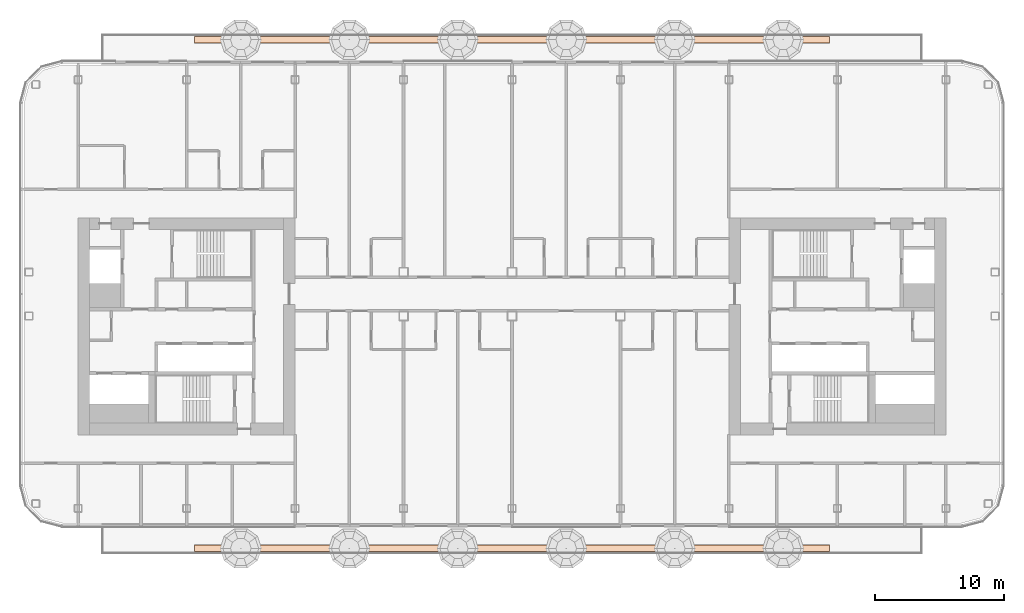
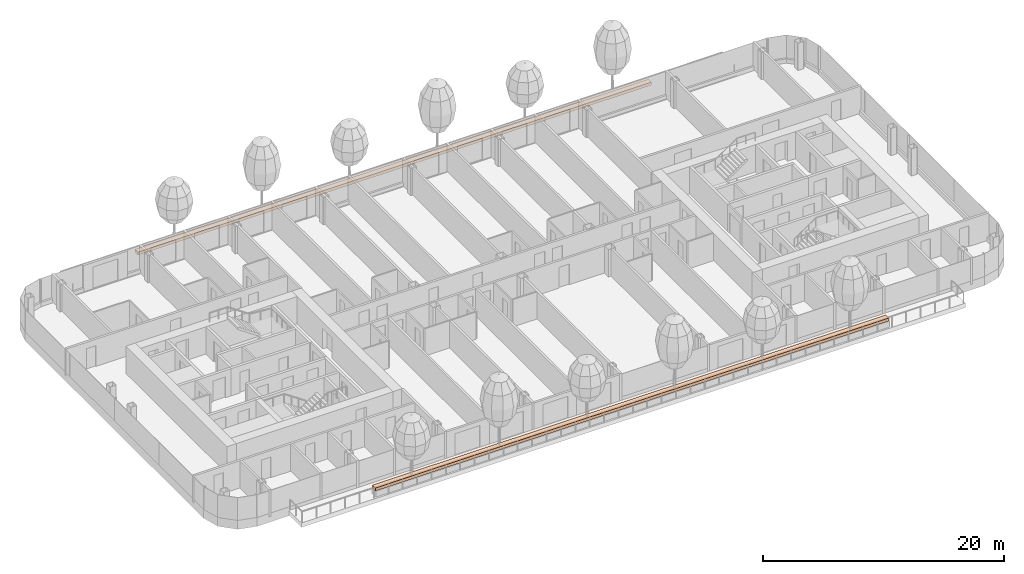
# One storey, part 27 of 29: 2 geographic elements.
"""IFC4 building model written with IfcOpenShell, lengths in metres."""

from ifc_helpers import new_model, si_unit, direction, frame, origin, origin_2d, place, context, subcontext, project, spatial, rectangle, extrude, material, type_object, element, save


model = new_model("IFC4")

# Units and contexts
model_context = context("Model", 3, precision=1e-05, world=origin(), true_north=direction((0.0, 1.0)))
body_context = subcontext(model_context, "Body", "Model", "MODEL_VIEW")
ifc_project = project(units=[si_unit("LENGTHUNIT", "METRE"), si_unit("AREAUNIT", "SQUARE_METRE"), si_unit("VOLUMEUNIT", "CUBIC_METRE"), si_unit("PLANEANGLEUNIT", "RADIAN"), si_unit("MASSUNIT", "GRAM", prefix="KILO")], contexts=[model_context])

# Site, building, storey
site_placement = place(None, origin())
site = spatial("IfcSite", under=ifc_project, at=site_placement, CompositionType="ELEMENT")
building_placement = place(site_placement, origin())
building = spatial("IfcBuilding", under=site, at=building_placement, Name="Hakoniwa Tower and Hamabe Station Hall", CompositionType="ELEMENT")
storey_placement = place(building_placement, frame((0.0, 0.0, 205.800048828125)))
storey = spatial("IfcBuildingStorey", under=building, at=storey_placement, Name="L58", CompositionType="ELEMENT", Elevation=205.800048828125)

# Geographic elements
ifc_material = material(Name="Shrub planting")
geographic_element_type = type_object("IfcGeographicElementType", Name="Shrub planting bed 500x300", PredefinedType="USERDEFINED", material=ifc_material)
for number, where, z_axis, x_axis, name in (
    (1, (0.0, 22.199951171875, 0.60009765625), (0.0, 0.0, 1.0), (1.0, 0.0, 0.0), "Shrub planting bed 500x300"),
    (2, (0.0, -17.199951171875, 0.60009765625), (0.0, 0.0, 1.0), (1.0, 0.0, 0.0), "Shrub planting bed 500x300"),
):
    element("IfcGeographicElement", number, at=place(storey_placement, frame(where, z_axis=z_axis, x_axis=x_axis)), inside=storey, type_object=geographic_element_type, Name=name, ObjectType="PLANTING", PredefinedType="USERDEFINED", context=body_context, shape_type="SweptSolid", body=[
        extrude(rectangle(XDim=49.199951171875, YDim=0.5, at=origin_2d()), origin(), (0.0, 0.0, 1.0), 0.300048828125),
    ])

save(model, "model.ifc")
